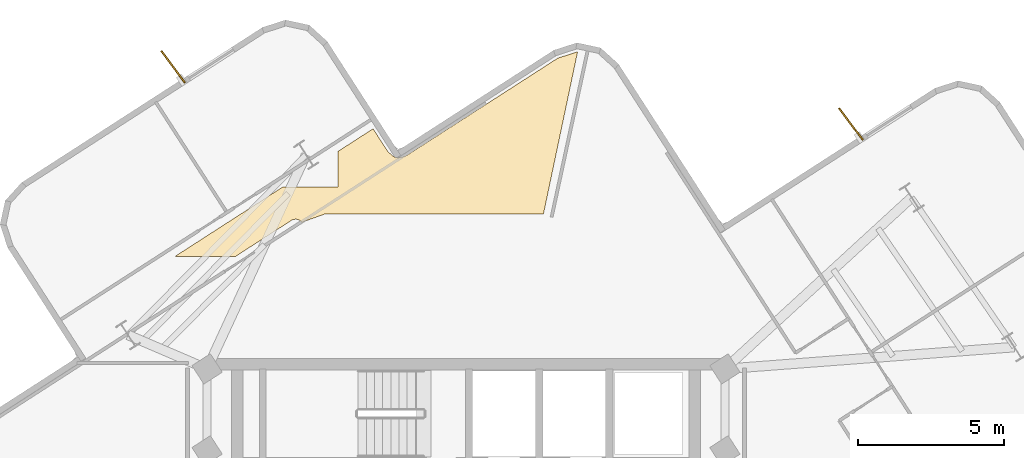
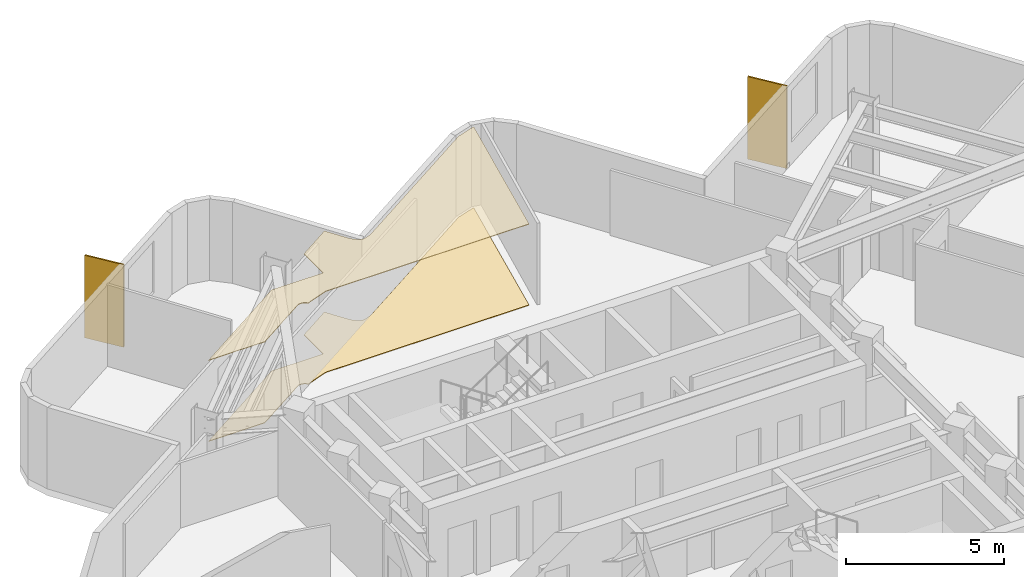
# One storey, part 9 of 9: 2 coverings, 2 shading devices.
"""IFC4 building model written with IfcOpenShell, lengths in metres."""

from ifc_helpers import new_model, si_unit, direction, frame, origin, origin_2d, place, context, subcontext, project, spatial, polyline, rectangle, outline, extrude, material, layer, layer_set, type_object, element, save


model = new_model("IFC4")

# Units and contexts
model_context = context("Model", 3, precision=1e-05, world=origin(), true_north=direction((0.0, 1.0)))
body_context = subcontext(model_context, "Body", "Model", "MODEL_VIEW")
ifc_project = project(units=[si_unit("LENGTHUNIT", "METRE"), si_unit("AREAUNIT", "SQUARE_METRE"), si_unit("VOLUMEUNIT", "CUBIC_METRE"), si_unit("PLANEANGLEUNIT", "RADIAN"), si_unit("MASSUNIT", "GRAM", prefix="KILO")], contexts=[model_context])

# Site, building, storey
site_placement = place(None, origin())
site = spatial("IfcSite", under=ifc_project, at=site_placement, CompositionType="ELEMENT")
building_placement = place(site_placement, origin())
building = spatial("IfcBuilding", under=site, at=building_placement, Name="Solmarez Civic Tower", CompositionType="ELEMENT")
storey_placement = place(building_placement, frame((0.0, 0.0, 215.4599609375)))
storey = spatial("IfcBuildingStorey", under=building, at=storey_placement, Name="L57", CompositionType="ELEMENT", Elevation=215.4599609375)

# Coverings
ifc_material_1 = material(Name="Perforated Mineral-Fibre Acoustic Ceiling")
ifc_layer_1 = layer(ifc_material_1, 0.02490234375)
ifc_layer_set_1 = layer_set([ifc_layer_1], Name="Perforated Mineral-Fibre Acoustic Ceiling")
covering_type_1 = type_object("IfcCoveringType", Name="COV-CEIL-ACOUSTIC", PredefinedType="CEILING", material=ifc_layer_set_1)
covering_1_placement = place(storey_placement, frame((0.0, 0.0, 3.135009765625)))
element("IfcCovering", 1, at=covering_1_placement, inside=storey, type_object=covering_type_1, Name="L57 Suspended Acoustic Ceiling 2", PredefinedType="CEILING", context=body_context, shape_type="SweptSolid", body=[
    extrude(outline(polyline([(-9.94091796875, 12.199951171875), (-7.873046875, 12.199951171875), (-5.969970703125, 13.426025390625), (-5.9560546875, 13.43505859375), (-5.93994140625, 13.44189453125), (-5.930908203125, 13.446044921875), (-5.908935546875, 13.455078125), (-5.885009765625, 13.4609375), (-5.8798828125, 13.4619140625), (-5.875, 13.462890625), (-5.85400390625, 13.466064453125), (-5.83203125, 13.467041015625), (-5.822021484375, 13.467041015625), (-5.798095703125, 13.466064453125), (-5.77392578125, 13.4619140625), (-5.764892578125, 13.4599609375), (-5.743896484375, 13.4541015625), (-5.72412109375, 13.446044921875), (-5.715087890625, 13.44189453125), (-5.693115234375, 13.430908203125), (-5.672119140625, 13.4169921875), (-5.659912109375, 13.407958984375), (-5.64404296875, 13.39501953125), (-5.62890625, 13.3798828125), (-5.615966796875, 13.364013671875), (-5.610107421875, 13.35693359375), (-5.552978515625, 13.384033203125), (-5.532958984375, 13.39208984375), (-4.85107421875, 13.635986328125), (-4.844970703125, 13.637939453125), (-4.818115234375, 13.64501953125), (-4.81298828125, 13.64599609375), (-4.7919921875, 13.64892578125), (-4.77001953125, 13.64990234375), (2.64794921875, 13.64990234375), (3.81396484375, 19.18701171875), (3.806884765625, 19.18896484375), (3.133056640625, 18.970947265625), (-1.9951171875, 15.6669921875), (-2.01611328125, 15.655029296875), (-2.02197265625, 15.652099609375), (-2.028076171875, 15.64892578125), (-2.0390625, 15.64404296875), (-2.0458984375, 15.64111328125), (-2.06591796875, 15.633056640625), (-2.22900390625, 15.5810546875), (-2.242919921875, 15.577880859375), (-2.2509765625, 15.575927734375), (-2.27294921875, 15.571044921875), (-2.283935546875, 15.570068359375), (-2.2919921875, 15.569091796875), (-2.319091796875, 15.56689453125), (-2.325927734375, 15.56689453125), (-2.35302734375, 15.569091796875), (-2.361083984375, 15.570068359375), (-2.3779296875, 15.572021484375), (-2.39404296875, 15.575927734375), (-2.402099609375, 15.5791015625), (-2.4189453125, 15.583984375), (-2.43603515625, 15.590087890625), (-2.443115234375, 15.593017578125), (-2.4609375, 15.60205078125), (-2.47802734375, 15.612060546875), (-2.493896484375, 15.6220703125), (-2.510009765625, 15.634033203125), (-2.51611328125, 15.638916015625), (-2.52294921875, 15.64501953125), (-2.64990234375, 15.760009765625), (-2.657958984375, 15.76708984375), (-2.6630859375, 15.77197265625), (-2.677001953125, 15.7890625), (-2.69091796875, 15.80810546875), (-2.699951171875, 15.820068359375), (-3.177001953125, 16.55908203125), (-4.367919921875, 15.791015625), (-4.367919921875, 14.571044921875), (-6.261962890625, 14.571044921875), (-9.94091796875, 12.199951171875)])), origin(), (0.0, 0.0, 1.0), 0.025146484375),
])
ifc_material_2 = material(Name="Polished Tropical Stone Terrazzo Flooring", Category="masonry")
ifc_layer_2 = layer(ifc_material_2, 0.02001953125)
ifc_layer_set_2 = layer_set([ifc_layer_2], Name="Polished Tropical Stone Terrazzo Flooring")
covering_type_2 = type_object("IfcCoveringType", Name="COV-FLOOR-TERRAZZO", PredefinedType="FLOORING", material=ifc_layer_set_2)
covering_2_placement = place(storey_placement, origin())
element("IfcCovering", 2, at=covering_2_placement, inside=storey, type_object=covering_type_2, Name="L57 Terrazzo Floor Finish 2", PredefinedType="FLOORING", context=body_context, shape_type="SweptSolid", body=[
    extrude(outline(polyline([(-9.94091796875, 12.199951171875), (-7.873046875, 12.199951171875), (-5.969970703125, 13.426025390625), (-5.9560546875, 13.43505859375), (-5.93994140625, 13.44189453125), (-5.930908203125, 13.446044921875), (-5.908935546875, 13.455078125), (-5.885009765625, 13.4609375), (-5.8798828125, 13.4619140625), (-5.875, 13.462890625), (-5.85400390625, 13.466064453125), (-5.83203125, 13.467041015625), (-5.822021484375, 13.467041015625), (-5.798095703125, 13.466064453125), (-5.77392578125, 13.4619140625), (-5.764892578125, 13.4599609375), (-5.743896484375, 13.4541015625), (-5.72412109375, 13.446044921875), (-5.715087890625, 13.44189453125), (-5.693115234375, 13.430908203125), (-5.672119140625, 13.4169921875), (-5.659912109375, 13.407958984375), (-5.64404296875, 13.39501953125), (-5.62890625, 13.3798828125), (-5.615966796875, 13.364013671875), (-5.610107421875, 13.35693359375), (-5.552978515625, 13.384033203125), (-5.532958984375, 13.39208984375), (-4.85107421875, 13.635986328125), (-4.844970703125, 13.637939453125), (-4.818115234375, 13.64501953125), (-4.81298828125, 13.64599609375), (-4.7919921875, 13.64892578125), (-4.77001953125, 13.64990234375), (2.64794921875, 13.64990234375), (3.81396484375, 19.18701171875), (3.806884765625, 19.18896484375), (3.133056640625, 18.970947265625), (-1.9951171875, 15.6669921875), (-2.01611328125, 15.655029296875), (-2.02197265625, 15.652099609375), (-2.028076171875, 15.64892578125), (-2.0390625, 15.64404296875), (-2.0458984375, 15.64111328125), (-2.06591796875, 15.633056640625), (-2.22900390625, 15.5810546875), (-2.242919921875, 15.577880859375), (-2.2509765625, 15.575927734375), (-2.27294921875, 15.571044921875), (-2.283935546875, 15.570068359375), (-2.2919921875, 15.569091796875), (-2.319091796875, 15.56689453125), (-2.325927734375, 15.56689453125), (-2.35302734375, 15.569091796875), (-2.361083984375, 15.570068359375), (-2.3779296875, 15.572021484375), (-2.39404296875, 15.575927734375), (-2.402099609375, 15.5791015625), (-2.4189453125, 15.583984375), (-2.43603515625, 15.590087890625), (-2.443115234375, 15.593017578125), (-2.4609375, 15.60205078125), (-2.47802734375, 15.612060546875), (-2.493896484375, 15.6220703125), (-2.510009765625, 15.634033203125), (-2.51611328125, 15.638916015625), (-2.52294921875, 15.64501953125), (-2.64990234375, 15.760009765625), (-2.657958984375, 15.76708984375), (-2.6630859375, 15.77197265625), (-2.677001953125, 15.7890625), (-2.69091796875, 15.80810546875), (-2.699951171875, 15.820068359375), (-3.177001953125, 16.55908203125), (-4.367919921875, 15.791015625), (-4.367919921875, 14.571044921875), (-6.261962890625, 14.571044921875), (-9.94091796875, 12.199951171875)])), origin(), (0.0, 0.0, 1.0), 0.02001953125),
])

# Shading devices
ifc_material_3 = material(Name="Bronze Anodised Aluminium EN AW-6063 T6", Category="aluminium")
ifc_layer_3 = layer(ifc_material_3, 0.054931640625)
ifc_layer_set_3 = layer_set([ifc_layer_3], Name="Bronze Anodised Aluminium EN AW-6063 T6")
shading_device_type = type_object("IfcShadingDeviceType", Name="FIN-BRONZE-Z56", PredefinedType="USERDEFINED", material=ifc_layer_set_3)
for number, where, z_axis, x_axis, name in (
    (3, (-10.013916015625, 18.677978515625, -0.0400390625), (0.0, 0.0, 1.0), (-0.600001429133, 0.799998928149, 0.0), "L57 Anodised Bronze Solar Fin FIN-L57-03"),
    (4, (13.157958984375, 16.718994140625, -0.0400390625), (0.0, 0.0, 1.0), (-0.600071239924, 0.7999465651, 0.0), "L57 Anodised Bronze Solar Fin FIN-L57-04"),
):
    element("IfcShadingDevice", number, at=place(storey_placement, frame(where, z_axis=z_axis, x_axis=x_axis)), inside=storey, type_object=shading_device_type, Name=name, ObjectType="FIN", PredefinedType="USERDEFINED", context=body_context, shape_type="SweptSolid", body=[
        extrude(rectangle(XDim=1.35009765625, YDim=0.054931640625, at=origin_2d()), origin(), (0.0, 0.0, 1.0), 3.199951171875),
    ])

save(model, "model.ifc")
